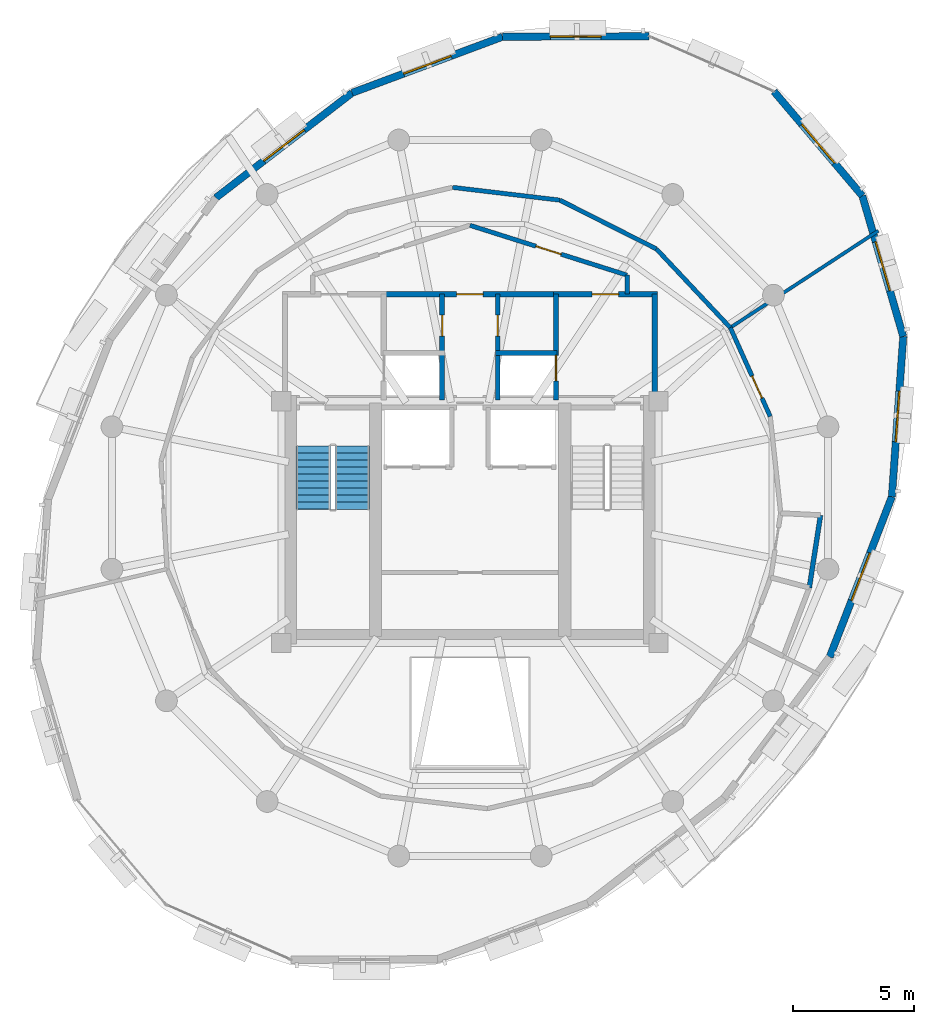
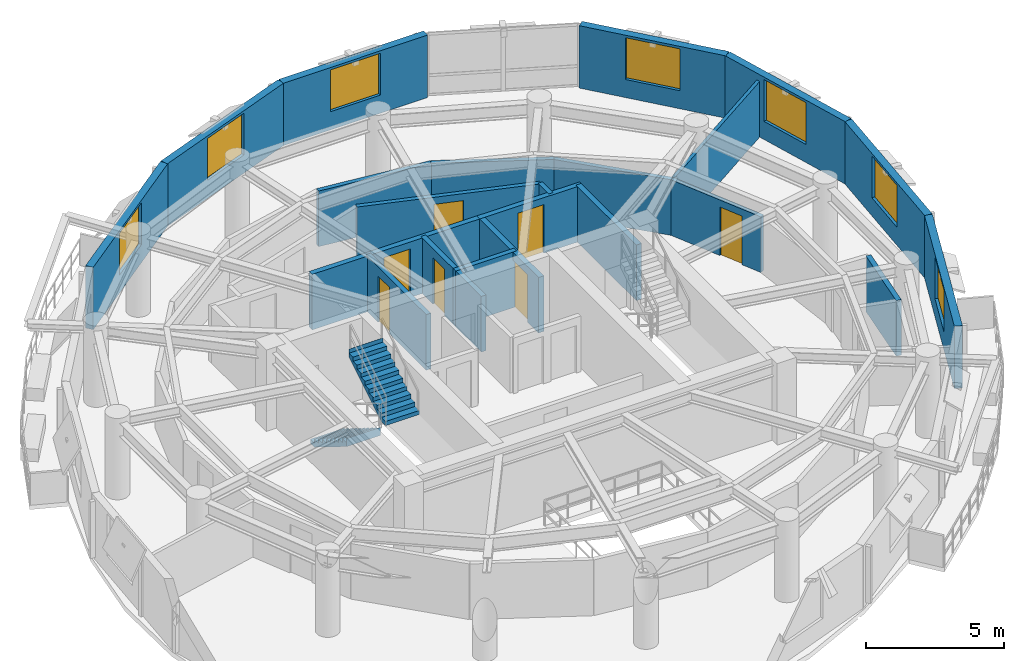
# One storey, part 8 of 11: 22 walls, 7 doors, 7 windows, 2 stair flights, 14 openings, 1 element without a shape of its own.
"""IFC4 building model written with IfcOpenShell, lengths in metres."""

from ifc_helpers import new_model, si_unit, direction, frame, frame_2d, origin, place, context, subcontext, project, spatial, polyline, rectangle, outline, extrude, material, layer, layer_set, type_object, element, fill, aggregate, save


model = new_model("IFC4")

# Units and contexts
model_context = context("Model", 3, precision=1e-05, world=origin(), true_north=direction((0.0, 1.0)))
body_context = subcontext(model_context, "Body", "Model", "MODEL_VIEW")
ifc_project = project(units=[si_unit("LENGTHUNIT", "METRE"), si_unit("AREAUNIT", "SQUARE_METRE"), si_unit("VOLUMEUNIT", "CUBIC_METRE"), si_unit("PLANEANGLEUNIT", "RADIAN"), si_unit("MASSUNIT", "GRAM", prefix="KILO"), si_unit("THERMODYNAMICTEMPERATUREUNIT", "KELVIN"), si_unit("POWERUNIT", "WATT")], contexts=[model_context])

# Site, building, storey
site_placement = place(None, origin())
site = spatial("IfcSite", under=ifc_project, at=site_placement, CompositionType="ELEMENT")
building_placement = place(site_placement, origin())
building = spatial("IfcBuilding", under=site, at=building_placement, Name="Ocrelia Relay Tower", CompositionType="ELEMENT")
storey_placement = place(building_placement, frame((0.0, 0.0, 252.0)))
storey = spatial("IfcBuildingStorey", under=building, at=storey_placement, Name="L62", CompositionType="ELEMENT", Elevation=252.0)

# Wall
ifc_material_1 = material(Name="Gypsum Fireboard Partition EI60", Category="gypsum")
ifc_layer_1 = layer(ifc_material_1, 0.179931640625, Name="Gypsum Fireboard Partition EI60")
ifc_layer_set_1 = layer_set([ifc_layer_1], Name="Gypsum Fireboard Partition EI60")
wall_type_1 = type_object("IfcWallType", Name="W-CORR-EI60-180", PredefinedType="PARTITIONING", material=ifc_layer_set_1)
wall_1_placement = place(storey_placement, frame((40.5, 35.218994140625, 0.0), z_axis=(0.0, 0.0, 1.0), x_axis=(0.0, -1.0, 0.0)))
element("IfcWall", 1, at=wall_1_placement, inside=storey, type_object=wall_type_1, Name="L62 Smoke Lobby East Return", PredefinedType="PARTITIONING", context=body_context, shape_type="SweptSolid", body=[
    extrude(rectangle(XDim=0.7890625, YDim=0.179931640625, at=frame_2d((0.39453125, 0.0))), origin(), (0.0, 0.0, 1.0), 2.4599609375),
])

# Wall, opening, door
wall_2_placement = place(storey_placement, frame((34.0, 37.280029296875, 0.0), z_axis=(0.0, 0.0, 1.0), x_axis=(0.953228121756, -0.302251795518, 0.0)))
wall_2 = element("IfcWall", 2, at=wall_2_placement, inside=storey, type_object=wall_type_1, Name="L62 North Smoke Lobby E Screen Wall", PredefinedType="PARTITIONING", context=body_context, shape_type="SweptSolid", body=[
    extrude(rectangle(XDim=6.81884765625, YDim=0.179931640625, at=frame_2d((3.409423828125, 0.0))), origin(), (0.0, 0.0, 1.0), 2.4599609375),
])
opening_1_placement = place(wall_2_placement, frame((2.859619140625, 0.0, 0.0)))
opening_1 = element("IfcOpeningElement", 3, at=opening_1_placement, cuts=wall_2, Name="Opening D-FD60", PredefinedType="OPENING", context=body_context, shape_type="SweptSolid", body=[
    extrude(rectangle(XDim=1.10009765625, YDim=2.14990234375, at=frame_2d((0.550048828125, 1.074951171875))), frame((0.0, 0.10009765625, 0.0), z_axis=(0.0, -1.0, 0.0), x_axis=(1.0, 0.0, 0.0)), (0.0, 0.0, 1.0), 0.199951171875),
])
ifc_material_2 = material(Name="Timber-core 60-min acoustic fire door", Category="wood")
door_type_1 = type_object("IfcDoorType", Name="DR-LOBBY-FD60-1100", OperationType="NOTDEFINED", PredefinedType="DOOR", material=ifc_material_2)
door_1_placement = place(opening_1_placement, origin())
door_1 = element("IfcDoor", 4, at=door_1_placement, inside=storey, type_object=door_type_1, Name="L62 North Smoke Lobby E Fire Door", OperationType="SINGLE_SWING_LEFT", OverallHeight=2.14990234375, OverallWidth=1.10009765625, PredefinedType="DOOR", context=body_context, shape_type="SweptSolid", body=[
    extrude(rectangle(XDim=1.10009765625, YDim=2.14990234375, at=frame_2d((0.550048828125, 1.074951171875))), frame((0.0, 0.02490234375, 0.0), z_axis=(0.0, -1.0, 0.0), x_axis=(1.0, 0.0, 0.0)), (0.0, 0.0, 1.0), 0.050048828125),
])
fill(opening_1, door_1)

wall_3_placement = place(storey_placement, frame((46.419921875, 29.37451171875, 0.0), z_axis=(0.0, 0.0, 1.0), x_axis=(-0.409943602113, 0.912110872146, 0.0)))
wall_3 = element("IfcWall", 5, at=wall_3_placement, inside=storey, type_object=wall_type_1, Name="L62 Technical Reference Library Corridor Partition 2", PredefinedType="PARTITIONING", context=body_context, shape_type="SweptSolid", body=[
    extrude(rectangle(XDim=4.026611328125, YDim=0.179931640625, at=frame_2d((2.01318359375, 0.0))), origin(), (0.0, 0.0, 1.0), 2.4599609375),
])
opening_2_placement = place(wall_3_placement, frame((0.83154296875, 0.0, 0.0)))
opening_2 = element("IfcOpeningElement", 6, at=opening_2_placement, cuts=wall_3, Name="Opening D-RM100", PredefinedType="OPENING", context=body_context, shape_type="SweptSolid", body=[
    extrude(rectangle(XDim=1.0, YDim=2.14990234375, at=frame_2d((0.5, 1.074951171875))), frame((0.0, 0.10009765625, 0.0), z_axis=(0.0, -1.0, 0.0), x_axis=(1.0, 0.0, 0.0)), (0.0, 0.0, 1.0), 0.199951171875),
])
ifc_material_3 = material(Name="Acoustic oak veneer fire door", Category="wood")
door_type_2 = type_object("IfcDoorType", Name="DR-ROOM-FD60-1000", OperationType="NOTDEFINED", PredefinedType="DOOR", material=ifc_material_3)
door_2_placement = place(opening_2_placement, origin())
door_2 = element("IfcDoor", 7, at=door_2_placement, inside=storey, type_object=door_type_2, Name="L62 Technical Reference Library Entrance Door", OperationType="SINGLE_SWING_RIGHT", OverallHeight=2.14990234375, OverallWidth=1.0, PredefinedType="DOOR", context=body_context, shape_type="SweptSolid", body=[
    extrude(rectangle(XDim=1.0, YDim=2.14990234375, at=frame_2d((0.5, 1.074951171875))), frame((0.0, 0.02490234375, 0.0), z_axis=(0.0, -1.0, 0.0), x_axis=(1.0, 0.0, 0.0)), (0.0, 0.0, 1.0), 0.050048828125),
])
fill(opening_2, door_2)

# Walls
wall_4_placement = place(storey_placement, frame((44.769287109375, 33.047119140625, 0.0), z_axis=(0.0, 0.0, 1.0), x_axis=(-0.684554994784, 0.728961219213, 0.0)))
element("IfcWall", 8, at=wall_4_placement, inside=storey, type_object=wall_type_1, Name="L62 Executive Club and Forum Hall Corridor Partition 1", PredefinedType="PARTITIONING", context=body_context, shape_type="SweptSolid", body=[
    extrude(rectangle(XDim=4.4697265625, YDim=0.179931640625, at=frame_2d((2.23486328125, 0.0))), origin(), (0.0, 0.0, 1.0), 2.4599609375),
])
wall_5_placement = place(storey_placement, frame((41.70947265625, 36.305419921875, 0.0), z_axis=(0.0, 0.0, 1.0), x_axis=(-0.892584460016, 0.450880229925, 0.0)))
element("IfcWall", 9, at=wall_5_placement, inside=storey, type_object=wall_type_1, Name="L62 Executive Club and Forum Hall Corridor Partition 2", PredefinedType="PARTITIONING", context=body_context, shape_type="SweptSolid", body=[
    extrude(rectangle(XDim=4.469970703125, YDim=0.179931640625, at=frame_2d((2.23486328125, 0.0))), origin(), (0.0, 0.0, 1.0), 2.4599609375),
])
wall_6_placement = place(storey_placement, frame((37.7197265625, 38.32080078125, 0.0), z_axis=(0.0, 0.0, 1.0), x_axis=(-0.992970095905, 0.118365487531, 0.0)))
element("IfcWall", 10, at=wall_6_placement, inside=storey, type_object=wall_type_1, Name="L62 Executive Club and Forum Hall Corridor Partition 3", PredefinedType="PARTITIONING", context=body_context, shape_type="SweptSolid", body=[
    extrude(rectangle(XDim=4.4697265625, YDim=0.179931640625, at=frame_2d((2.23486328125, 0.0))), origin(), (0.0, 0.0, 1.0), 2.4599609375),
])

# Wall, opening, window
ifc_material_4 = material(Name="Precast concrete C40/50 with oxide terracotta", Category="masonry")
ifc_layer_2 = layer(ifc_material_4, 0.300048828125, Name="Precast concrete C40/50 with oxide terracotta")
ifc_layer_set_2 = layer_set([ifc_layer_2], Name="Precast concrete C40/50 with oxide terracotta")
wall_type_2 = type_object("IfcWallType", Name="W-EXT-TERR-300", PredefinedType="SOLIDWALL", material=ifc_layer_set_2)
wall_7_placement = place(storey_placement, frame((41.41162109375, 45.099853515625, 0.0), z_axis=(0.0, 0.0, 1.0), x_axis=(-0.99999493823, -0.003181747155, 0.0)))
wall_7 = element("IfcWall", 11, at=wall_7_placement, inside=storey, type_object=wall_type_2, Name="L62 Oxide Terracotta Facade Wall 02", PredefinedType="SOLIDWALL", context=body_context, shape_type="SweptSolid", body=[
    extrude(rectangle(XDim=6.061767578125, YDim=0.300048828125, at=frame_2d((3.03076171875, 0.0))), origin(), (0.0, 0.0, 1.0), 2.760009765625),
])
opening_3_placement = place(wall_7_placement, frame((1.98095703125, 0.0, 0.800048828125)))
opening_3 = element("IfcOpeningElement", 12, at=opening_3_placement, cuts=wall_7, Name="Opening W-07", PredefinedType="OPENING", context=body_context, shape_type="SweptSolid", body=[
    extrude(rectangle(XDim=2.10009765625, YDim=1.85009765625, at=frame_2d((1.050048828125, 0.925048828125))), frame((0.0, 0.16015625, 0.0), z_axis=(0.0, -1.0, 0.0), x_axis=(1.0, 0.0, 0.0)), (0.0, 0.0, 1.0), 0.320068359375),
])
ifc_material_5 = material(Name="Clear double-glazed low-E glass", Category="glass")
window_type = type_object("IfcWindowType", Name="WIN-Z4-2100x2200", PartitioningType="DOUBLE_PANEL_VERTICAL", PredefinedType="WINDOW", material=ifc_material_5)
window_1_placement = place(opening_3_placement, origin())
window_1 = element("IfcWindow", 13, at=window_1_placement, inside=storey, type_object=window_type, Name="L62 Facade Module Window 02", OverallHeight=1.85009765625, OverallWidth=2.10009765625, PartitioningType="SINGLE_PANEL", PredefinedType="WINDOW", context=body_context, shape_type="SweptSolid", body=[
    extrude(rectangle(XDim=2.10009765625, YDim=1.85009765625, at=frame_2d((1.050048828125, 0.925048828125))), frame((0.0, 0.030029296875, 0.0), z_axis=(0.0, -1.0, 0.0), x_axis=(1.0, 0.0, 0.0)), (0.0, 0.0, 1.0), 0.06005859375),
])
fill(opening_3, window_1)

wall_8_placement = place(storey_placement, frame((35.349853515625, 45.08056640625, 0.0), z_axis=(0.0, 0.0, 1.0), x_axis=(-0.937008544895, -0.349306436805, 0.0)))
wall_8 = element("IfcWall", 14, at=wall_8_placement, inside=storey, type_object=wall_type_2, Name="L62 Oxide Terracotta Facade Wall 03", PredefinedType="SOLIDWALL", context=body_context, shape_type="SweptSolid", body=[
    extrude(rectangle(XDim=6.643310546875, YDim=0.300048828125, at=frame_2d((3.32177734375, 0.0))), origin(), (0.0, 0.0, 1.0), 2.760009765625),
])
opening_4_placement = place(wall_8_placement, frame((2.27197265625, 0.0, 0.800048828125)))
opening_4 = element("IfcOpeningElement", 15, at=opening_4_placement, cuts=wall_8, Name="Opening W-07", PredefinedType="OPENING", context=body_context, shape_type="SweptSolid", body=[
    extrude(rectangle(XDim=2.10009765625, YDim=1.85009765625, at=frame_2d((1.050048828125, 0.925048828125))), frame((0.0, 0.16015625, 0.0), z_axis=(0.0, -1.0, 0.0), x_axis=(1.0, 0.0, 0.0)), (0.0, 0.0, 1.0), 0.320068359375),
])
window_2_placement = place(opening_4_placement, origin())
window_2 = element("IfcWindow", 16, at=window_2_placement, inside=storey, type_object=window_type, Name="L62 Facade Module Window 03", OverallHeight=1.85009765625, OverallWidth=2.10009765625, PartitioningType="SINGLE_PANEL", PredefinedType="WINDOW", context=body_context, shape_type="SweptSolid", body=[
    extrude(rectangle(XDim=2.10009765625, YDim=1.85009765625, at=frame_2d((1.050048828125, 0.925048828125))), frame((0.0, 0.030029296875, 0.0), z_axis=(0.0, -1.0, 0.0), x_axis=(1.0, 0.0, 0.0)), (0.0, 0.0, 1.0), 0.06005859375),
])
fill(opening_4, window_2)

wall_9_placement = place(storey_placement, frame((29.125, 42.760009765625, 0.0), z_axis=(0.0, 0.0, 1.0), x_axis=(-0.792179880956, -0.610287666768, 0.0)))
wall_9 = element("IfcWall", 17, at=wall_9_placement, inside=storey, type_object=wall_type_2, Name="L62 Oxide Terracotta Facade Wall 04", PredefinedType="SOLIDWALL", context=body_context, shape_type="SweptSolid", body=[
    extrude(rectangle(XDim=7.115234375, YDim=0.300048828125, at=frame_2d((3.5576171875, 0.0))), origin(), (0.0, 0.0, 1.0), 2.760009765625),
])
opening_5_placement = place(wall_9_placement, frame((2.508056640625, 0.0, 0.800048828125)))
opening_5 = element("IfcOpeningElement", 18, at=opening_5_placement, cuts=wall_9, Name="Opening W-07", PredefinedType="OPENING", context=body_context, shape_type="SweptSolid", body=[
    extrude(rectangle(XDim=2.10009765625, YDim=1.85009765625, at=frame_2d((1.050048828125, 0.925048828125))), frame((0.0, 0.16015625, 0.0), z_axis=(0.0, -1.0, 0.0), x_axis=(1.0, 0.0, 0.0)), (0.0, 0.0, 1.0), 0.320068359375),
])
window_3_placement = place(opening_5_placement, origin())
window_3 = element("IfcWindow", 19, at=window_3_placement, inside=storey, type_object=window_type, Name="L62 Facade Module Window 04", OverallHeight=1.85009765625, OverallWidth=2.10009765625, PartitioningType="SINGLE_PANEL", PredefinedType="WINDOW", context=body_context, shape_type="SweptSolid", body=[
    extrude(rectangle(XDim=2.10009765625, YDim=1.85009765625, at=frame_2d((1.050048828125, 0.925048828125))), frame((0.0, 0.030029296875, 0.0), z_axis=(0.0, -1.0, 0.0), x_axis=(1.0, 0.0, 0.0)), (0.0, 0.0, 1.0), 0.06005859375),
])
fill(opening_5, window_3)

wall_10_placement = place(storey_placement, frame((48.88037109375, 19.422119140625, 0.0), z_axis=(0.0, 0.0, 1.0), x_axis=(0.361757335193, 0.932272294147, 0.0)))
wall_10 = element("IfcWall", 20, at=wall_10_placement, inside=storey, type_object=wall_type_2, Name="L62 Oxide Terracotta Facade Wall 15", PredefinedType="SOLIDWALL", context=body_context, shape_type="SweptSolid", body=[
    extrude(rectangle(XDim=7.115234375, YDim=0.300048828125, at=frame_2d((3.5576171875, 0.0))), origin(), (0.0, 0.0, 1.0), 2.760009765625),
])
opening_6_placement = place(wall_10_placement, frame((2.508056640625, 0.0, 0.800048828125)))
opening_6 = element("IfcOpeningElement", 21, at=opening_6_placement, cuts=wall_10, Name="Opening W-07", PredefinedType="OPENING", context=body_context, shape_type="SweptSolid", body=[
    extrude(rectangle(XDim=2.10009765625, YDim=1.85009765625, at=frame_2d((1.050048828125, 0.925048828125))), frame((0.0, 0.16015625, 0.0), z_axis=(0.0, -1.0, 0.0), x_axis=(1.0, 0.0, 0.0)), (0.0, 0.0, 1.0), 0.320068359375),
])
window_4_placement = place(opening_6_placement, origin())
window_4 = element("IfcWindow", 22, at=window_4_placement, inside=storey, type_object=window_type, Name="L62 Facade Module Window 15", OverallHeight=1.85009765625, OverallWidth=2.10009765625, PartitioningType="SINGLE_PANEL", PredefinedType="WINDOW", context=body_context, shape_type="SweptSolid", body=[
    extrude(rectangle(XDim=2.10009765625, YDim=1.85009765625, at=frame_2d((1.050048828125, 0.925048828125))), frame((0.0, 0.030029296875, 0.0), z_axis=(0.0, -1.0, 0.0), x_axis=(1.0, 0.0, 0.0)), (0.0, 0.0, 1.0), 0.06005859375),
])
fill(opening_6, window_4)

wall_11_placement = place(storey_placement, frame((51.454345703125, 26.055419921875, 0.0), z_axis=(0.0, 0.0, 1.0), x_axis=(0.07056016097, 0.997507525628, 0.0)))
wall_11 = element("IfcWall", 23, at=wall_11_placement, inside=storey, type_object=wall_type_2, Name="L62 Oxide Terracotta Facade Wall 16", PredefinedType="SOLIDWALL", context=body_context, shape_type="SweptSolid", body=[
    extrude(rectangle(XDim=6.643310546875, YDim=0.300048828125, at=frame_2d((3.32177734375, 0.0))), origin(), (0.0, 0.0, 1.0), 2.760009765625),
])
opening_7_placement = place(wall_11_placement, frame((2.27197265625, 0.0, 0.800048828125)))
opening_7 = element("IfcOpeningElement", 24, at=opening_7_placement, cuts=wall_11, Name="Opening W-07", PredefinedType="OPENING", context=body_context, shape_type="SweptSolid", body=[
    extrude(rectangle(XDim=2.10009765625, YDim=1.85009765625, at=frame_2d((1.050048828125, 0.925048828125))), frame((0.0, 0.16015625, 0.0), z_axis=(0.0, -1.0, 0.0), x_axis=(1.0, 0.0, 0.0)), (0.0, 0.0, 1.0), 0.320068359375),
])
window_5_placement = place(opening_7_placement, origin())
window_5 = element("IfcWindow", 25, at=window_5_placement, inside=storey, type_object=window_type, Name="L62 Facade Module Window 16", OverallHeight=1.85009765625, OverallWidth=2.10009765625, PartitioningType="SINGLE_PANEL", PredefinedType="WINDOW", context=body_context, shape_type="SweptSolid", body=[
    extrude(rectangle(XDim=2.10009765625, YDim=1.85009765625, at=frame_2d((1.050048828125, 0.925048828125))), frame((0.0, 0.030029296875, 0.0), z_axis=(0.0, -1.0, 0.0), x_axis=(1.0, 0.0, 0.0)), (0.0, 0.0, 1.0), 0.06005859375),
])
fill(opening_7, window_5)

wall_12_placement = place(storey_placement, frame((51.923095703125, 32.68212890625, 0.0), z_axis=(0.0, 0.0, 1.0), x_axis=(-0.279308611401, 0.960201384917, 0.0)))
wall_12 = element("IfcWall", 26, at=wall_12_placement, inside=storey, type_object=wall_type_2, Name="L62 Oxide Terracotta Facade Wall 17", PredefinedType="SOLIDWALL", context=body_context, shape_type="SweptSolid", body=[
    extrude(rectangle(XDim=6.061767578125, YDim=0.300048828125, at=frame_2d((3.03076171875, 0.0))), origin(), (0.0, 0.0, 1.0), 2.760009765625),
])
opening_8_placement = place(wall_12_placement, frame((1.98095703125, 0.0, 0.800048828125)))
opening_8 = element("IfcOpeningElement", 27, at=opening_8_placement, cuts=wall_12, Name="Opening W-07", PredefinedType="OPENING", context=body_context, shape_type="SweptSolid", body=[
    extrude(rectangle(XDim=2.10009765625, YDim=1.85009765625, at=frame_2d((1.050048828125, 0.925048828125))), frame((0.0, 0.16015625, 0.0), z_axis=(0.0, -1.0, 0.0), x_axis=(1.0, 0.0, 0.0)), (0.0, 0.0, 1.0), 0.320068359375),
])
window_6_placement = place(opening_8_placement, origin())
window_6 = element("IfcWindow", 28, at=window_6_placement, inside=storey, type_object=window_type, Name="L62 Facade Module Window 17", OverallHeight=1.85009765625, OverallWidth=2.10009765625, PartitioningType="SINGLE_PANEL", PredefinedType="WINDOW", context=body_context, shape_type="SweptSolid", body=[
    extrude(rectangle(XDim=2.10009765625, YDim=1.85009765625, at=frame_2d((1.050048828125, 0.925048828125))), frame((0.0, 0.030029296875, 0.0), z_axis=(0.0, -1.0, 0.0), x_axis=(1.0, 0.0, 0.0)), (0.0, 0.0, 1.0), 0.06005859375),
])
fill(opening_8, window_6)

wall_13_placement = place(storey_placement, frame((50.22998046875, 38.502685546875, 0.0), z_axis=(0.0, 0.0, 1.0), x_axis=(-0.646060387889, 0.763286299629, 0.0)))
wall_13 = element("IfcWall", 29, at=wall_13_placement, inside=storey, type_object=wall_type_2, Name="L62 Oxide Terracotta Facade Wall 18", PredefinedType="SOLIDWALL", context=body_context, shape_type="SweptSolid", body=[
    extrude(rectangle(XDim=5.650146484375, YDim=0.300048828125, at=frame_2d((2.8251953125, 0.0))), origin(), (0.0, 0.0, 1.0), 2.760009765625),
])
opening_9_placement = place(wall_13_placement, frame((1.77490234375, 0.0, 0.800048828125)))
opening_9 = element("IfcOpeningElement", 30, at=opening_9_placement, cuts=wall_13, Name="Opening W-07", PredefinedType="OPENING", context=body_context, shape_type="SweptSolid", body=[
    extrude(rectangle(XDim=2.10009765625, YDim=1.85009765625, at=frame_2d((1.050048828125, 0.925048828125))), frame((0.0, 0.16015625, 0.0), z_axis=(0.0, -1.0, 0.0), x_axis=(1.0, 0.0, 0.0)), (0.0, 0.0, 1.0), 0.320068359375),
])
window_7_placement = place(opening_9_placement, origin())
window_7 = element("IfcWindow", 31, at=window_7_placement, inside=storey, type_object=window_type, Name="L62 Facade Module Window 18", OverallHeight=1.85009765625, OverallWidth=2.10009765625, PartitioningType="SINGLE_PANEL", PredefinedType="WINDOW", context=body_context, shape_type="SweptSolid", body=[
    extrude(rectangle(XDim=2.10009765625, YDim=1.85009765625, at=frame_2d((1.050048828125, 0.925048828125))), frame((0.0, 0.030029296875, 0.0), z_axis=(0.0, -1.0, 0.0), x_axis=(1.0, 0.0, 0.0)), (0.0, 0.0, 1.0), 0.06005859375),
])
fill(opening_9, window_7)

# Wall, opening, door
ifc_material_6 = material(Name="Concrete C50/60", Category="concrete")
ifc_layer_3 = layer(ifc_material_6, 0.219970703125, Name="Concrete C50/60")
ifc_layer_set_3 = layer_set([ifc_layer_3], Name="Concrete C50/60")
wall_type_3 = type_object("IfcWallType", Name="W-FFL-EI120-220", PredefinedType="SOLIDWALL", material=ifc_layer_set_3)
wall_14_placement = place(storey_placement, frame((37.56005859375, 30.050048828125, 0.0), z_axis=(0.0, 0.0, 1.0), x_axis=(0.0, 1.0, 0.0)))
wall_14 = element("IfcWall", 32, at=wall_14_placement, inside=storey, type_object=wall_type_3, Name="L62 E Fire Service Lift Lobby West Wall", PredefinedType="SOLIDWALL", context=body_context, shape_type="SweptSolid", body=[
    extrude(rectangle(XDim=4.3798828125, YDim=0.219970703125, at=frame_2d((2.18994140625, 0.0))), origin(), (0.0, 0.0, 1.0), 2.4599609375),
])
opening_10_placement = place(wall_14_placement, frame((0.800048828125, 0.0, 0.0)))
opening_10 = element("IfcOpeningElement", 33, at=opening_10_placement, cuts=wall_14, Name="Opening LD-FFL2", PredefinedType="OPENING", context=body_context, shape_type="SweptSolid", body=[
    extrude(rectangle(XDim=1.050048828125, YDim=2.10009765625, at=frame_2d((0.52490234375, 1.050048828125))), frame((0.0, 0.1201171875, 0.0), z_axis=(0.0, -1.0, 0.0), x_axis=(1.0, 0.0, 0.0)), (0.0, 0.0, 1.0), 0.239990234375),
])
ifc_material_7 = material(Name="Brushed stainless steel S355 lift landing door", Category="steel")
door_type_3 = type_object("IfcDoorType", Name="DR-LIFT-LAND-1050", OperationType="DOUBLE_DOOR_SLIDING", PredefinedType="USERDEFINED", material=ifc_material_7)
door_3_placement = place(opening_10_placement, origin())
door_3 = element("IfcDoor", 34, at=door_3_placement, inside=storey, type_object=door_type_3, Name="L62 Firefighting Lift FFL2 Sliding Landing Door", ObjectType="LANDING DOOR", OperationType="DOUBLE_DOOR_SLIDING", OverallHeight=2.10009765625, OverallWidth=1.050048828125, PredefinedType="USERDEFINED", context=body_context, shape_type="SweptSolid", body=[
    extrude(rectangle(XDim=1.050048828125, YDim=2.10009765625, at=frame_2d((0.52490234375, 1.050048828125))), frame((0.0, 0.02490234375, 0.0), z_axis=(0.0, -1.0, 0.0), x_axis=(1.0, 0.0, 0.0)), (0.0, 0.0, 1.0), 0.050048828125),
])
fill(opening_10, door_3)

# Wall
wall_15_placement = place(storey_placement, frame((41.64990234375, 30.050048828125, 0.0), z_axis=(0.0, 0.0, 1.0), x_axis=(0.0, 1.0, 0.0)))
element("IfcWall", 35, at=wall_15_placement, inside=storey, type_object=wall_type_3, Name="L62 E Fire Service Lift Lobby East Wall", PredefinedType="SOLIDWALL", context=body_context, shape_type="SweptSolid", body=[
    extrude(rectangle(XDim=4.3798828125, YDim=0.219970703125, at=frame_2d((2.18994140625, 0.0))), origin(), (0.0, 0.0, 1.0), 2.4599609375),
])

# Wall, opening, door
wall_16_placement = place(storey_placement, frame((37.449951171875, 34.429931640625, 0.0), z_axis=(0.0, 0.0, 1.0), x_axis=(1.0, 0.0, 0.0)))
wall_16 = element("IfcWall", 36, at=wall_16_placement, inside=storey, type_object=wall_type_3, Name="L62 E Fire Service Lift Lobby North Wall", PredefinedType="SOLIDWALL", context=body_context, shape_type="SweptSolid", body=[
    extrude(rectangle(XDim=4.31005859375, YDim=0.219970703125, at=frame_2d((2.155029296875, 0.0))), origin(), (0.0, 0.0, 1.0), 2.4599609375),
])
opening_11_placement = place(wall_16_placement, frame((1.60009765625, 0.0, 0.0)))
opening_11 = element("IfcOpeningElement", 37, at=opening_11_placement, cuts=wall_16, Name="Opening D-FD60", PredefinedType="OPENING", context=body_context, shape_type="SweptSolid", body=[
    extrude(rectangle(XDim=1.10009765625, YDim=2.14990234375, at=frame_2d((0.550048828125, 1.074951171875))), frame((0.0, 0.1201171875, 0.0), z_axis=(0.0, -1.0, 0.0), x_axis=(1.0, 0.0, 0.0)), (0.0, 0.0, 1.0), 0.239990234375),
])
door_4_placement = place(opening_11_placement, origin())
door_4 = element("IfcDoor", 38, at=door_4_placement, inside=storey, type_object=door_type_1, Name="L62 E Fire Service Lift Lobby Exit Door", OperationType="SINGLE_SWING_RIGHT", OverallHeight=2.14990234375, OverallWidth=1.10009765625, PredefinedType="DOOR", context=body_context, shape_type="SweptSolid", body=[
    extrude(rectangle(XDim=1.10009765625, YDim=2.14990234375, at=frame_2d((0.550048828125, 1.074951171875))), frame((0.0, 0.02490234375, 0.0), z_axis=(0.0, -1.0, 0.0), x_axis=(1.0, 0.0, 0.0)), (0.0, 0.0, 1.0), 0.050048828125),
])
fill(opening_11, door_4)

wall_17_placement = place(storey_placement, frame((30.43994140625, 34.429931640625, 0.0), z_axis=(0.0, 0.0, 1.0), x_axis=(1.0, 0.0, 0.0)))
wall_17 = element("IfcWall", 39, at=wall_17_placement, inside=storey, type_object=wall_type_3, Name="L62 North Core Vestibule Wall", PredefinedType="SOLIDWALL", context=body_context, shape_type="SweptSolid", body=[
    extrude(rectangle(XDim=7.1201171875, YDim=0.219970703125, at=frame_2d((3.56005859375, 0.0))), origin(), (0.0, 0.0, 1.0), 2.4599609375),
])
opening_12_placement = place(wall_17_placement, frame((3.010009765625, 0.0, 0.0)))
opening_12 = element("IfcOpeningElement", 40, at=opening_12_placement, cuts=wall_17, Name="Opening D-FD60", PredefinedType="OPENING", context=body_context, shape_type="SweptSolid", body=[
    extrude(rectangle(XDim=1.10009765625, YDim=2.14990234375, at=frame_2d((0.550048828125, 1.074951171875))), frame((0.0, 0.1201171875, 0.0), z_axis=(0.0, -1.0, 0.0), x_axis=(1.0, 0.0, 0.0)), (0.0, 0.0, 1.0), 0.239990234375),
])
door_5_placement = place(opening_12_placement, origin())
door_5 = element("IfcDoor", 41, at=door_5_placement, inside=storey, type_object=door_type_1, Name="L62 North Core Vestibule Corridor Door", OperationType="SINGLE_SWING_RIGHT", OverallHeight=2.14990234375, OverallWidth=1.10009765625, PredefinedType="DOOR", context=body_context, shape_type="SweptSolid", body=[
    extrude(rectangle(XDim=1.10009765625, YDim=2.14990234375, at=frame_2d((0.550048828125, 1.074951171875))), frame((0.0, 0.02490234375, 0.0), z_axis=(0.0, -1.0, 0.0), x_axis=(1.0, 0.0, 0.0)), (0.0, 0.0, 1.0), 0.050048828125),
])
fill(opening_12, door_5)

# Walls
ifc_material_8 = material(Name="Acoustic Fireboard Partition EI60", Category="gypsum")
ifc_layer_4 = layer(ifc_material_8, 0.139892578125, Name="Acoustic Fireboard Partition EI60")
ifc_layer_set_4 = layer_set([ifc_layer_4], Name="Acoustic Fireboard Partition EI60")
wall_type_4 = type_object("IfcWallType", Name="W-PART-140", PredefinedType="PARTITIONING", material=ifc_layer_set_4)
wall_18_placement = place(storey_placement, frame((44.769287109375, 33.047119140625, 0.0), z_axis=(0.0, 0.0, 1.0), x_axis=(0.836767384102, 0.547558531029, 0.0)))
element("IfcWall", 42, at=wall_18_placement, inside=storey, type_object=wall_type_4, Name="L62 Technical Reference Library Radial Partition", PredefinedType="PARTITIONING", context=body_context, shape_type="SweptSolid", body=[
    extrude(rectangle(XDim=7.318115234375, YDim=0.139892578125, at=frame_2d((3.6591796875, 0.0))), origin(), (0.0, 0.0, 1.0), 2.4599609375),
])
ifc_material_9 = material(Name="Moisture-Resistant Fireboard Chase Wall EI60", Category="gypsum")
ifc_layer_5 = layer(ifc_material_9, 0.199951171875, Name="Moisture-Resistant Fireboard Chase Wall EI60")
ifc_layer_set_5 = layer_set([ifc_layer_5], Name="Moisture-Resistant Fireboard Chase Wall EI60")
wall_type_5 = type_object("IfcWallType", Name="W-PLUMB-200", PredefinedType="PLUMBINGWALL", material=ifc_layer_set_5)
wall_19_placement = place(storey_placement, frame((48.038330078125, 22.291015625, 0.0), z_axis=(0.0, 0.0, 1.0), x_axis=(0.15297577472, 0.988229939006, 0.0)))
element("IfcWall", 43, at=wall_19_placement, inside=storey, type_object=wall_type_5, Name="L62 Accessible Toilet Back Plumbing Wall", PredefinedType="PLUMBINGWALL", context=body_context, shape_type="SweptSolid", body=[
    extrude(rectangle(XDim=3.035400390625, YDim=0.199951171875, at=frame_2d((1.517578125, 0.0))), origin(), (0.0, 0.0, 1.0), 2.4599609375),
])

# Wall, opening, door
ifc_layer_6 = layer(ifc_material_6, 0.199951171875, Name="Concrete C50/60")
ifc_layer_set_6 = layer_set([ifc_layer_6], Name="Concrete C50/60")
wall_type_6 = type_object("IfcWallType", Name="W-SHAFT-EI120-200", PredefinedType="SOLIDWALL", material=ifc_layer_set_6)
wall_20_placement = place(storey_placement, frame((32.85009765625, 30.050048828125, 0.0), z_axis=(0.0, 0.0, 1.0), x_axis=(0.0, 1.0, 0.0)))
wall_20 = element("IfcWall", 44, at=wall_20_placement, inside=storey, type_object=wall_type_6, Name="L62 FFL1 and Service Vestibule Wall", PredefinedType="SOLIDWALL", context=body_context, shape_type="SweptSolid", body=[
    extrude(rectangle(XDim=4.3798828125, YDim=0.199951171875, at=frame_2d((2.18994140625, 0.0))), origin(), (0.0, 0.0, 1.0), 2.4599609375),
])
opening_13_placement = place(wall_20_placement, frame((2.64990234375, 0.0, 0.0)))
opening_13 = element("IfcOpeningElement", 45, at=opening_13_placement, cuts=wall_20, Name="Opening D-RS86", PredefinedType="OPENING", context=body_context, shape_type="SweptSolid", body=[
    extrude(rectangle(XDim=0.860107421875, YDim=2.050048828125, at=frame_2d((0.43017578125, 1.02490234375))), frame((0.0, 0.10986328125, 0.0), z_axis=(0.0, -1.0, 0.0), x_axis=(1.0, 0.0, 0.0)), (0.0, 0.0, 1.0), 0.219970703125),
])
ifc_material_10 = material(Name="Steel S355 riser access fire door", Category="steel")
door_type_4 = type_object("IfcDoorType", Name="DR-RISER-TRAP-860", OperationType="NOTDEFINED", PredefinedType="TRAPDOOR", material=ifc_material_10)
door_6_placement = place(opening_13_placement, origin())
door_6 = element("IfcDoor", 46, at=door_6_placement, inside=storey, type_object=door_type_4, Name="L62 Core Support Room W Door", OperationType="SINGLE_SWING_LEFT", OverallHeight=2.050048828125, OverallWidth=0.860107421875, PredefinedType="TRAPDOOR", context=body_context, shape_type="SweptSolid", body=[
    extrude(rectangle(XDim=0.860107421875, YDim=2.050048828125, at=frame_2d((0.43017578125, 1.02490234375))), frame((0.0, 0.02490234375, 0.0), z_axis=(0.0, -1.0, 0.0), x_axis=(1.0, 0.0, 0.0)), (0.0, 0.0, 1.0), 0.050048828125),
])
fill(opening_13, door_6)

# Wall
wall_21_placement = place(storey_placement, frame((35.050048828125, 32.0, 0.0), z_axis=(0.0, 0.0, 1.0), x_axis=(1.0, 0.0, 0.0)))
element("IfcWall", 47, at=wall_21_placement, inside=storey, type_object=wall_type_6, Name="L62 FFL2 Hoistway North Wall", PredefinedType="SOLIDWALL", context=body_context, shape_type="SweptSolid", body=[
    extrude(rectangle(XDim=2.550048828125, YDim=0.199951171875, at=frame_2d((1.27490234375, 0.0))), origin(), (0.0, 0.0, 1.0), 2.4599609375),
])

# Wall, opening, door
wall_22_placement = place(storey_placement, frame((35.14990234375, 30.050048828125, 0.0), z_axis=(0.0, 0.0, 1.0), x_axis=(0.0, 1.0, 0.0)))
wall_22 = element("IfcWall", 48, at=wall_22_placement, inside=storey, type_object=wall_type_6, Name="L62 FFL2 and Service Vestibule Wall", PredefinedType="SOLIDWALL", context=body_context, shape_type="SweptSolid", body=[
    extrude(rectangle(XDim=4.3798828125, YDim=0.199951171875, at=frame_2d((2.18994140625, 0.0))), origin(), (0.0, 0.0, 1.0), 2.4599609375),
])
opening_14_placement = place(wall_22_placement, frame((2.64990234375, 0.0, 0.0)))
opening_14 = element("IfcOpeningElement", 49, at=opening_14_placement, cuts=wall_22, Name="Opening D-RS86", PredefinedType="OPENING", context=body_context, shape_type="SweptSolid", body=[
    extrude(rectangle(XDim=0.860107421875, YDim=2.050048828125, at=frame_2d((0.43017578125, 1.02490234375))), frame((0.0, 0.10986328125, 0.0), z_axis=(0.0, -1.0, 0.0), x_axis=(1.0, 0.0, 0.0)), (0.0, 0.0, 1.0), 0.219970703125),
])
door_7_placement = place(opening_14_placement, origin())
door_7 = element("IfcDoor", 50, at=door_7_placement, inside=storey, type_object=door_type_4, Name="L62 Core Support Room E Door", OperationType="SINGLE_SWING_LEFT", OverallHeight=2.050048828125, OverallWidth=0.860107421875, PredefinedType="TRAPDOOR", context=body_context, shape_type="SweptSolid", body=[
    extrude(rectangle(XDim=0.860107421875, YDim=2.050048828125, at=frame_2d((0.43017578125, 1.02490234375))), frame((0.0, 0.02490234375, 0.0), z_axis=(0.0, -1.0, 0.0), x_axis=(1.0, 0.0, 0.0)), (0.0, 0.0, 1.0), 0.050048828125),
])
fill(opening_14, door_7)

# Stair, stair flights
stair_type = type_object("IfcStairType", Name="ST-DL-1420-R180", PredefinedType="HALF_TURN_STAIR", material=ifc_material_6)
stair_placement = place(storey_placement, origin())
stair = element("IfcStair", 51, at=stair_placement, inside=storey, type_object=stair_type, Name="L62 West Core Exit Stair ST1", PredefinedType="HALF_TURN_STAIR")
stair_flight_type = type_object("IfcStairFlightType", Name="STF-DL-1420-R180", PredefinedType="STRAIGHT", material=ifc_material_6)
stair_flight_1_placement = place(storey_placement, frame((27.52001953125, 28.14990234375, 0.0), z_axis=(0.0, 0.0, 1.0), x_axis=(0.0, -1.0, 0.0)))
stair_flight_1 = element("IfcStairFlight", 52, at=stair_flight_1_placement, type_object=stair_flight_type, Name="ST1 flight 1", NumberOfRisers=10, NumberOfTreads=9, PredefinedType="STRAIGHT", RiserHeight=0.18, TreadLength=0.29, context=body_context, shape_type="SweptSolid", body=[
    extrude(outline(polyline([(-0.008056640625, 0.0), (-0.008056640625, 0.179931640625), (0.0, 0.179931640625), (0.2900390625, 0.179931640625), (0.2900390625, 0.360107421875), (0.580078125, 0.360107421875), (0.580078125, 0.5400390625), (0.8701171875, 0.5400390625), (0.8701171875, 0.719970703125), (1.159912109375, 0.719970703125), (1.159912109375, 0.89990234375), (1.449951171875, 0.89990234375), (1.449951171875, 1.080078125), (1.739990234375, 1.080078125), (1.739990234375, 1.260009765625), (2.030029296875, 1.260009765625), (2.030029296875, 1.43994140625), (2.320068359375, 1.43994140625), (2.320068359375, 1.6201171875), (2.610107421875, 1.6201171875), (2.610107421875, 1.800048828125), (2.617919921875, 1.800048828125), (2.617919921875, 1.443603515625), (0.2841796875, 0.0), (-0.008056640625, 0.0)])), frame((0.0, 0.7099609375, 0.0), z_axis=(0.0, -1.0, 0.0), x_axis=(1.0, 0.0, 0.0)), (0.0, 0.0, 1.0), 1.419921875),
])
stair_flight_2_placement = place(storey_placement, frame((29.139892578125, 25.5400390625, 1.800048828125), z_axis=(0.0, 0.0, 1.0), x_axis=(0.0, 1.0, 0.0)))
stair_flight_2 = element("IfcStairFlight", 53, at=stair_flight_2_placement, type_object=stair_flight_type, Name="ST1 flight 2", NumberOfRisers=10, NumberOfTreads=9, PredefinedType="STRAIGHT", RiserHeight=0.18, TreadLength=0.29, context=body_context, shape_type="SweptSolid", body=[
    extrude(outline(polyline([(-0.008056640625, 0.0), (-0.008056640625, 0.179931640625), (0.0, 0.179931640625), (0.2900390625, 0.179931640625), (0.2900390625, 0.360107421875), (0.580078125, 0.360107421875), (0.580078125, 0.5400390625), (0.8701171875, 0.5400390625), (0.8701171875, 0.719970703125), (1.159912109375, 0.719970703125), (1.159912109375, 0.89990234375), (1.449951171875, 0.89990234375), (1.449951171875, 1.080078125), (1.739990234375, 1.080078125), (1.739990234375, 1.260009765625), (2.030029296875, 1.260009765625), (2.030029296875, 1.43994140625), (2.320068359375, 1.43994140625), (2.320068359375, 1.6201171875), (2.610107421875, 1.6201171875), (2.610107421875, 1.800048828125), (2.617919921875, 1.800048828125), (2.617919921875, 1.443603515625), (0.2841796875, 0.0), (-0.008056640625, 0.0)])), frame((0.0, 0.7099609375, 0.0), z_axis=(0.0, -1.0, 0.0), x_axis=(1.0, 0.0, 0.0)), (0.0, 0.0, 1.0), 1.419921875),
])
aggregate(stair, [stair_flight_1, stair_flight_2])

save(model, "model.ifc")
